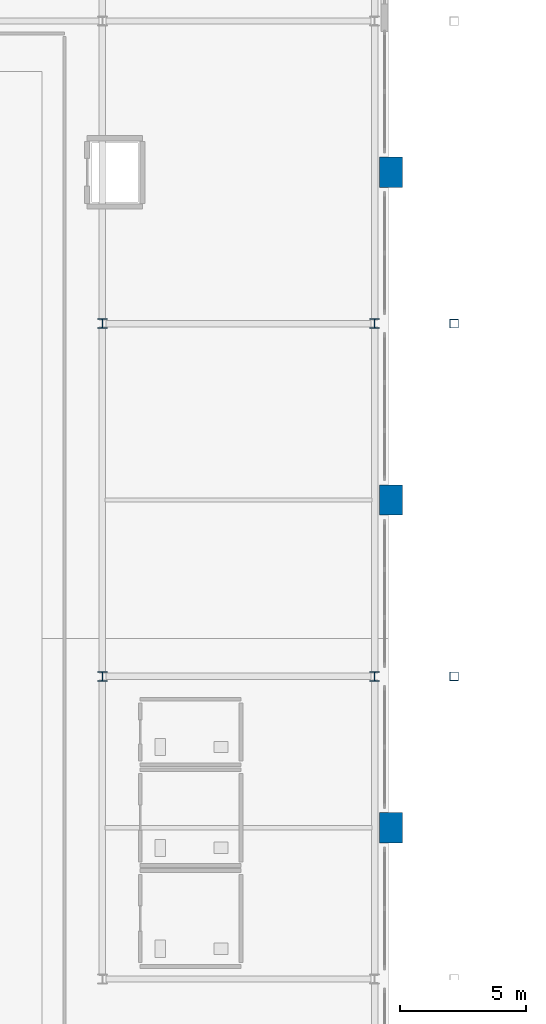
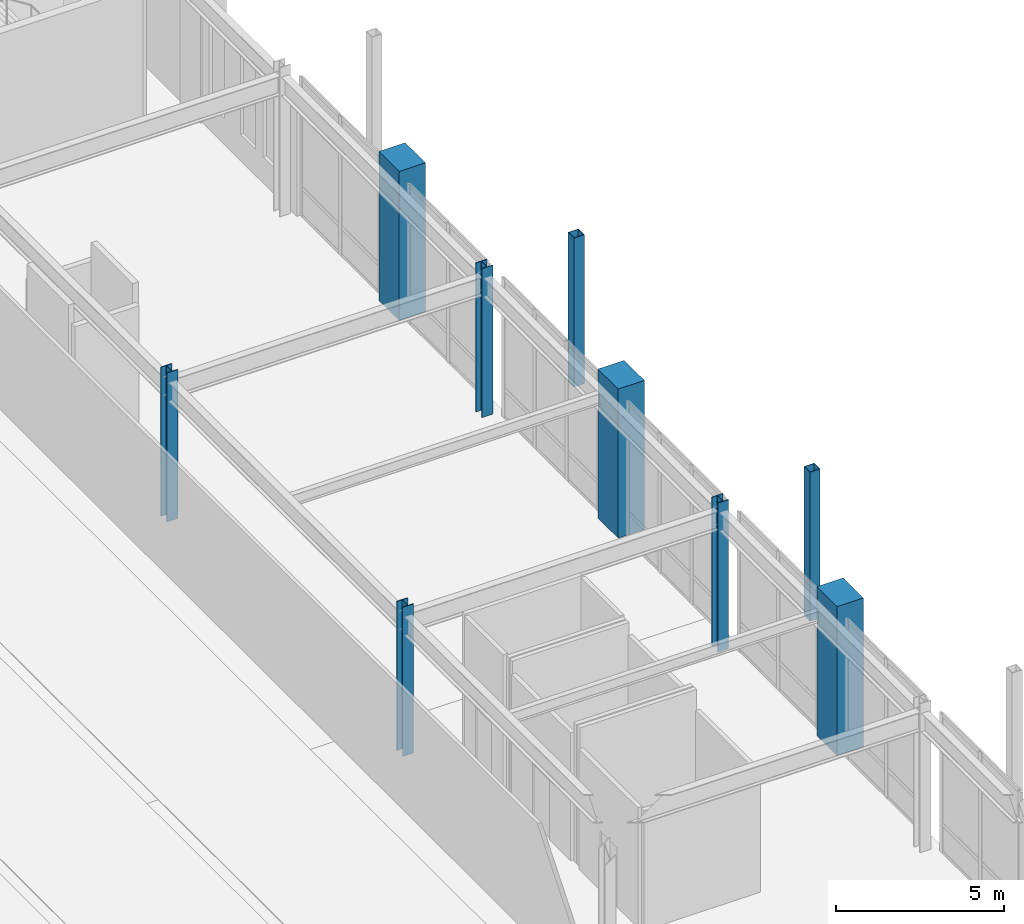
# One storey, part 11 of 159: 9 columns.
"""IFC4 building model written with IfcOpenShell, lengths in metres."""

from ifc_helpers import new_model, si_unit, derived_unit, direction, frame, origin, origin_2d, place, context, subcontext, project, spatial, rectangle, hollow_rectangle, i_section, extrude, material, material_profile, profile_set, type_object, element, save


model = new_model("IFC4")

# Units and contexts
model_context = context("Model", 3, precision=1e-05, world=origin(), true_north=direction((0.0, 1.0)))
body_context = subcontext(model_context, "Body", "Model", "MODEL_VIEW")
ifc_project = project(units=[si_unit("LENGTHUNIT", "METRE"), si_unit("AREAUNIT", "SQUARE_METRE"), si_unit("VOLUMEUNIT", "CUBIC_METRE"), si_unit("PLANEANGLEUNIT", "RADIAN"), si_unit("MASSUNIT", "GRAM", prefix="KILO"), derived_unit("THERMALTRANSMITTANCEUNIT", [(si_unit("MASSUNIT", "GRAM", prefix="KILO"), 1), (si_unit("TIMEUNIT", "SECOND"), -3), (si_unit("THERMODYNAMICTEMPERATUREUNIT", "KELVIN"), -1)])], contexts=[model_context])

# Site, building, storey
site_placement = place(None, origin())
site = spatial("IfcSite", under=ifc_project, at=site_placement, CompositionType="ELEMENT")
building_placement = place(site_placement, origin())
building = spatial("IfcBuilding", under=site, at=building_placement, Name="Valcora Ridge Arena", CompositionType="ELEMENT")
storey_placement = place(building_placement, frame((0.0, 0.0, 6.0)))
storey = spatial("IfcBuildingStorey", under=building, at=storey_placement, Name="L01", CompositionType="ELEMENT", Elevation=6.0)

# Columns
ifc_material_1 = material(Name="Bush-hammered Andean travertine architectural concrete C45/55", Category="masonry")
ifc_material_profile_1 = material_profile(ifc_material_1, rectangle(XDim=0.89990234375, YDim=1.199951171875, at=origin_2d()), Name="RC 900x1200")
ifc_profile_set_1 = profile_set([ifc_material_profile_1], Name="Bush-hammered Andean travertine architectural concrete C45/55")
column_type_1 = type_object("IfcColumnType", Name="TY-COLUMN-C-BUTT-1200", PredefinedType="PILASTER", material=ifc_profile_set_1)
for number, where, z_axis, x_axis, name in (
    (1, (187.449951171875, 34.0, 0.0), (0.0, 0.0, 1.0), (1.0, 0.0, 0.0), "C-BUTT-1200 COL-C-BUTT-1200-0378"),
    (2, (187.449951171875, 47.0, 0.0), (0.0, 0.0, 1.0), (1.0, 0.0, 0.0), "C-BUTT-1200 COL-C-BUTT-1200-0381"),
    (3, (187.449951171875, 60.0, 0.0), (0.0, 0.0, 1.0), (1.0, 0.0, 0.0), "C-BUTT-1200 COL-C-BUTT-1200-0384"),
):
    element("IfcColumn", number, at=place(storey_placement, frame(where, z_axis=z_axis, x_axis=x_axis)), inside=storey, type_object=column_type_1, Name=name, PredefinedType="PILASTER", context=body_context, shape_type="SweptSolid", body=[
        extrude(rectangle(XDim=0.89990234375, YDim=1.199951171875, at=origin_2d()), origin(), (0.0, 0.0, 1.0), 5.39990234375),
    ])
ifc_material_2 = material(Name="Steel ASTM A500 Grade C", Category="steel")
ifc_material_profile_2 = material_profile(ifc_material_2, hollow_rectangle(XDim=0.35009765625, YDim=0.35009765625, WallThickness=0.01611328125, at=origin_2d()), Name="HSS350X350X16")
ifc_profile_set_2 = profile_set([ifc_material_profile_2], Name="Steel ASTM A500 Grade C")
column_type_2 = type_object("IfcColumnType", Name="TY-COLUMN-C-COL350", PredefinedType="COLUMN", material=ifc_profile_set_2)
for number, where, z_axis, x_axis, name in (
    (4, (189.949951171875, 40.0, 0.0), (0.0, 0.0, 1.0), (1.0, 0.0, 0.0), "C-COL350 COL-C-COL350-0032"),
    (5, (189.949951171875, 54.0, 0.0), (0.0, 0.0, 1.0), (1.0, 0.0, 0.0), "C-COL350 COL-C-COL350-0035"),
):
    element("IfcColumn", number, at=place(storey_placement, frame(where, z_axis=z_axis, x_axis=x_axis)), inside=storey, type_object=column_type_2, Name=name, PredefinedType="COLUMN", context=body_context, shape_type="SweptSolid", body=[
        extrude(hollow_rectangle(XDim=0.35009765625, YDim=0.35009765625, WallThickness=0.01611328125, at=origin_2d()), origin(), (0.0, 0.0, 1.0), 5.39990234375),
    ])
ifc_material_3 = material(Name="Steel ASTM A572 Grade 50", Category="steel")
ifc_material_profile_3 = material_profile(ifc_material_3, i_section(OverallWidth=0.3740234375, OverallDepth=0.373046875, WebThickness=0.016357421875, FlangeThickness=0.026123046875, FilletRadius=0.01806640625, at=origin_2d()), Name="W14X132")
ifc_profile_set_3 = profile_set([ifc_material_profile_3], Name="Steel ASTM A572 Grade 50")
column_type_3 = type_object("IfcColumnType", Name="TY-COLUMN-C-STL14B", PredefinedType="COLUMN", material=ifc_profile_set_3)
for number, where, z_axis, x_axis, name in (
    (6, (176.0, 40.0, 0.0), (0.0, 0.0, 1.0), (1.0, 0.0, 0.0), "C-STL14B COL-C-STL14B-0049"),
    (7, (176.0, 54.0, 0.0), (0.0, 0.0, 1.0), (1.0, 0.0, 0.0), "C-STL14B COL-C-STL14B-0051"),
    (8, (186.800048828125, 40.0, 0.0), (0.0, 0.0, 1.0), (1.0, 0.0, 0.0), "C-STL14B COL-C-STL14B-0063"),
    (9, (186.800048828125, 54.0, 0.0), (0.0, 0.0, 1.0), (1.0, 0.0, 0.0), "C-STL14B COL-C-STL14B-0065"),
):
    element("IfcColumn", number, at=place(storey_placement, frame(where, z_axis=z_axis, x_axis=x_axis)), inside=storey, type_object=column_type_3, Name=name, PredefinedType="COLUMN", context=body_context, shape_type="SweptSolid", body=[
        extrude(i_section(OverallWidth=0.3740234375, OverallDepth=0.373046875, WebThickness=0.016357421875, FlangeThickness=0.026123046875, FilletRadius=0.01806640625, at=origin_2d()), origin(), (0.0, 0.0, 1.0), 5.39990234375),
    ])

save(model, "model.ifc")
